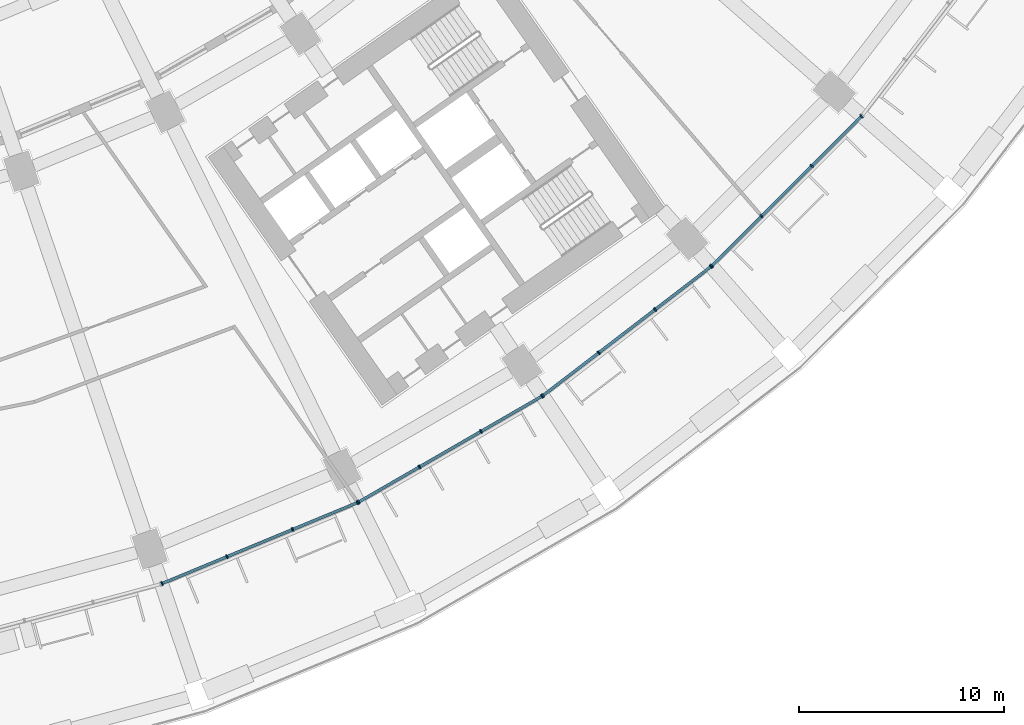
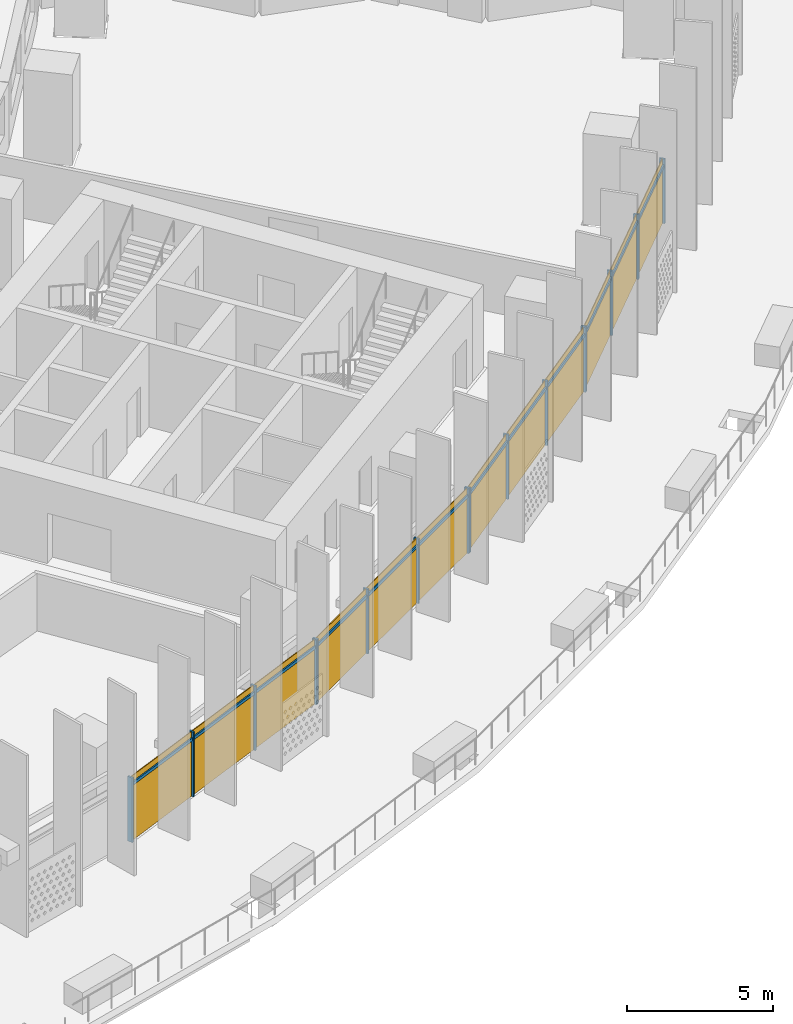
# One storey, part 22 of 35: 28 members, 4 curtain walls.
"""IFC4 building model written with IfcOpenShell, lengths in metres."""

from ifc_helpers import new_model, si_unit, direction, frame, origin, origin_2d, place, context, subcontext, project, spatial, rectangle, extrude, material, material_profile, profile_set, type_object, element, aggregate, save


model = new_model("IFC4")

# Units and contexts
model_context = context("Model", 3, precision=1e-05, world=origin(), true_north=direction((0.0, 1.0)))
body_context = subcontext(model_context, "Body", "Model", "MODEL_VIEW")
ifc_project = project(units=[si_unit("LENGTHUNIT", "METRE"), si_unit("AREAUNIT", "SQUARE_METRE"), si_unit("VOLUMEUNIT", "CUBIC_METRE"), si_unit("PLANEANGLEUNIT", "RADIAN"), si_unit("MASSUNIT", "GRAM", prefix="KILO")], contexts=[model_context])

# Member
ifc_material = material(Name="Aluminium 6063-T6 anodised", Category="aluminium")
ifc_material_profile_1 = material_profile(ifc_material, rectangle(XDim=0.199951171875, YDim=0.070068359375, at=origin_2d()))
ifc_profile_set_1 = profile_set([ifc_material_profile_1], Name="Aluminium 6063-T6 anodised")
member_type_1 = type_object("IfcMemberType", Name="Mullion 70 x 200 aluminium", PredefinedType="MULLION", material=ifc_profile_set_1)
site_placement = place(None, origin())
building_placement = place(site_placement, origin())
storey_placement = place(building_placement, frame((0.0, 0.0, 40.5)))
member_1_placement = place(storey_placement, frame((25.5966796875, -75.317138671875, 0.0), z_axis=(0.0, 0.0, 1.0), x_axis=(-0.382683432365, 0.923879532511, 0.0)))
member_1 = element("IfcMember", 1, at=member_1_placement, type_object=member_type_1, Name="e-cw1-L06-out11/M00", PredefinedType="MULLION", context=body_context, shape_type="SweptSolid", body=[
    extrude(rectangle(XDim=0.199951171875, YDim=0.070068359375, at=origin_2d()), origin(), (0.0, 0.0, 1.0), 2.699951171875),
])

member_2_placement = place(storey_placement, frame((28.77294921875, -74.00146484375, 0.0), z_axis=(0.0, 0.0, 1.0), x_axis=(-0.382683432365, 0.923879532511, 0.0)))
member_2 = element("IfcMember", 2, at=member_2_placement, type_object=member_type_1, Name="e-cw1-L06-out11/M01", PredefinedType="MULLION", context=body_context, shape_type="SweptSolid", body=[
    extrude(rectangle(XDim=0.199951171875, YDim=0.070068359375, at=origin_2d()), origin(), (0.0, 0.0, 1.0), 2.699951171875),
])

member_3_placement = place(storey_placement, frame((31.9814453125, -72.672607421875, 0.0), z_axis=(0.0, 0.0, 1.0), x_axis=(-0.382683432365, 0.923879532511, 0.0)))
member_3 = element("IfcMember", 3, at=member_3_placement, type_object=member_type_1, Name="e-cw1-L06-out11/M02", PredefinedType="MULLION", context=body_context, shape_type="SweptSolid", body=[
    extrude(rectangle(XDim=0.199951171875, YDim=0.070068359375, at=origin_2d()), origin(), (0.0, 0.0, 1.0), 2.699951171875),
])

member_4_placement = place(storey_placement, frame((35.15771484375, -71.35693359375, 0.0), z_axis=(0.0, 0.0, 1.0), x_axis=(-0.382683432365, 0.923879532511, 0.0)))
member_4 = element("IfcMember", 4, at=member_4_placement, type_object=member_type_1, Name="e-cw1-L06-out11/M03", PredefinedType="MULLION", context=body_context, shape_type="SweptSolid", body=[
    extrude(rectangle(XDim=0.199951171875, YDim=0.070068359375, at=origin_2d()), origin(), (0.0, 0.0, 1.0), 2.699951171875),
])

member_5_placement = place(storey_placement, frame((35.20849609375, -71.331787109375, 0.0), z_axis=(0.0, 0.0, 1.0), x_axis=(-0.5, 0.866025403784, 0.0)))
member_5 = element("IfcMember", 5, at=member_5_placement, type_object=member_type_1, Name="e-cw1-L06-out12/M00", PredefinedType="MULLION", context=body_context, shape_type="SweptSolid", body=[
    extrude(rectangle(XDim=0.199951171875, YDim=0.070068359375, at=origin_2d()), origin(), (0.0, 0.0, 1.0), 2.699951171875),
])

member_6_placement = place(storey_placement, frame((38.18603515625, -69.61279296875, 0.0), z_axis=(0.0, 0.0, 1.0), x_axis=(-0.5, 0.866025403784, 0.0)))
member_6 = element("IfcMember", 6, at=member_6_placement, type_object=member_type_1, Name="e-cw1-L06-out12/M01", PredefinedType="MULLION", context=body_context, shape_type="SweptSolid", body=[
    extrude(rectangle(XDim=0.199951171875, YDim=0.070068359375, at=origin_2d()), origin(), (0.0, 0.0, 1.0), 2.699951171875),
])

member_7_placement = place(storey_placement, frame((41.193603515625, -67.87646484375, 0.0), z_axis=(0.0, 0.0, 1.0), x_axis=(-0.5, 0.866025403784, 0.0)))
member_7 = element("IfcMember", 7, at=member_7_placement, type_object=member_type_1, Name="e-cw1-L06-out12/M02", PredefinedType="MULLION", context=body_context, shape_type="SweptSolid", body=[
    extrude(rectangle(XDim=0.199951171875, YDim=0.070068359375, at=origin_2d()), origin(), (0.0, 0.0, 1.0), 2.699951171875),
])

member_8_placement = place(storey_placement, frame((44.1708984375, -66.157470703125, 0.0), z_axis=(0.0, 0.0, 1.0), x_axis=(-0.5, 0.866025403784, 0.0)))
member_8 = element("IfcMember", 8, at=member_8_placement, type_object=member_type_1, Name="e-cw1-L06-out12/M03", PredefinedType="MULLION", context=body_context, shape_type="SweptSolid", body=[
    extrude(rectangle(XDim=0.199951171875, YDim=0.070068359375, at=origin_2d()), origin(), (0.0, 0.0, 1.0), 2.699951171875),
])

member_9_placement = place(storey_placement, frame((44.218017578125, -66.1259765625, 0.0), z_axis=(0.0, 0.0, 1.0), x_axis=(-0.608761429009, 0.793353340291, 0.0)))
member_9 = element("IfcMember", 9, at=member_9_placement, type_object=member_type_1, Name="e-cw1-L06-out13/M00", PredefinedType="MULLION", context=body_context, shape_type="SweptSolid", body=[
    extrude(rectangle(XDim=0.199951171875, YDim=0.070068359375, at=origin_2d()), origin(), (0.0, 0.0, 1.0), 2.699951171875),
])

member_10_placement = place(storey_placement, frame((46.945556640625, -64.032958984375, 0.0), z_axis=(0.0, 0.0, 1.0), x_axis=(-0.608761429009, 0.793353340291, 0.0)))
member_10 = element("IfcMember", 10, at=member_10_placement, type_object=member_type_1, Name="e-cw1-L06-out13/M01", PredefinedType="MULLION", context=body_context, shape_type="SweptSolid", body=[
    extrude(rectangle(XDim=0.199951171875, YDim=0.070068359375, at=origin_2d()), origin(), (0.0, 0.0, 1.0), 2.699951171875),
])

member_11_placement = place(storey_placement, frame((49.70068359375, -61.9189453125, 0.0), z_axis=(0.0, 0.0, 1.0), x_axis=(-0.608761429009, 0.793353340291, 0.0)))
member_11 = element("IfcMember", 11, at=member_11_placement, type_object=member_type_1, Name="e-cw1-L06-out13/M02", PredefinedType="MULLION", context=body_context, shape_type="SweptSolid", body=[
    extrude(rectangle(XDim=0.199951171875, YDim=0.070068359375, at=origin_2d()), origin(), (0.0, 0.0, 1.0), 2.699951171875),
])

member_12_placement = place(storey_placement, frame((52.42822265625, -59.825927734375, 0.0), z_axis=(0.0, 0.0, 1.0), x_axis=(-0.608761429009, 0.793353340291, 0.0)))
member_12 = element("IfcMember", 12, at=member_12_placement, type_object=member_type_1, Name="e-cw1-L06-out13/M03", PredefinedType="MULLION", context=body_context, shape_type="SweptSolid", body=[
    extrude(rectangle(XDim=0.199951171875, YDim=0.070068359375, at=origin_2d()), origin(), (0.0, 0.0, 1.0), 2.699951171875),
])

member_13_placement = place(storey_placement, frame((52.470947265625, -59.78857421875, 0.0), z_axis=(0.0, 0.0, 1.0), x_axis=(-0.707106781187, 0.707106781187, 0.0)))
member_13 = element("IfcMember", 13, at=member_13_placement, type_object=member_type_1, Name="e-cw1-L06-out14/M00", PredefinedType="MULLION", context=body_context, shape_type="SweptSolid", body=[
    extrude(rectangle(XDim=0.199951171875, YDim=0.070068359375, at=origin_2d()), origin(), (0.0, 0.0, 1.0), 2.699951171875),
])

member_14_placement = place(storey_placement, frame((54.90185546875, -57.357666015625, 0.0), z_axis=(0.0, 0.0, 1.0), x_axis=(-0.707106781187, 0.707106781187, 0.0)))
member_14 = element("IfcMember", 14, at=member_14_placement, type_object=member_type_1, Name="e-cw1-L06-out14/M01", PredefinedType="MULLION", context=body_context, shape_type="SweptSolid", body=[
    extrude(rectangle(XDim=0.199951171875, YDim=0.070068359375, at=origin_2d()), origin(), (0.0, 0.0, 1.0), 2.699951171875),
])

member_15_placement = place(storey_placement, frame((57.357666015625, -54.90185546875, 0.0), z_axis=(0.0, 0.0, 1.0), x_axis=(-0.707106781187, 0.707106781187, 0.0)))
member_15 = element("IfcMember", 15, at=member_15_placement, type_object=member_type_1, Name="e-cw1-L06-out14/M02", PredefinedType="MULLION", context=body_context, shape_type="SweptSolid", body=[
    extrude(rectangle(XDim=0.199951171875, YDim=0.070068359375, at=origin_2d()), origin(), (0.0, 0.0, 1.0), 2.699951171875),
])

member_16_placement = place(storey_placement, frame((59.78857421875, -52.470947265625, 0.0), z_axis=(0.0, 0.0, 1.0), x_axis=(-0.707106781187, 0.707106781187, 0.0)))
member_16 = element("IfcMember", 16, at=member_16_placement, type_object=member_type_1, Name="e-cw1-L06-out14/M03", PredefinedType="MULLION", context=body_context, shape_type="SweptSolid", body=[
    extrude(rectangle(XDim=0.199951171875, YDim=0.070068359375, at=origin_2d()), origin(), (0.0, 0.0, 1.0), 2.699951171875),
])

ifc_material_profile_2 = material_profile(ifc_material, rectangle(XDim=0.139892578125, YDim=0.1201171875, at=origin_2d()))
ifc_profile_set_2 = profile_set([ifc_material_profile_2], Name="Aluminium 6063-T6 anodised")
member_type_2 = type_object("IfcMemberType", Name="Transom 120 x 140 aluminium", PredefinedType="USERDEFINED", material=ifc_profile_set_2)
member_17_placement = place(storey_placement, frame((25.629150390625, -75.3037109375, 2.39990234375), z_axis=(0.923872807855, 0.382699666719, 0.0), x_axis=(-0.382699666719, 0.923872807855, 0.0)))
member_17 = element("IfcMember", 17, at=member_17_placement, type_object=member_type_2, Name="e-cw1-L06-out11/T00", ObjectType="TRANSOM", PredefinedType="USERDEFINED", context=body_context, shape_type="SweptSolid", body=[
    extrude(rectangle(XDim=0.139892578125, YDim=0.1201171875, at=origin_2d()), origin(), (0.0, 0.0, 1.0), 3.36767578125),
])

member_18_placement = place(storey_placement, frame((28.80517578125, -73.98828125, 2.39990234375), z_axis=(0.92388567708, 0.382668597728, 0.0), x_axis=(-0.382668597728, 0.92388567708, 0.0)))
member_18 = element("IfcMember", 18, at=member_18_placement, type_object=member_type_2, Name="e-cw1-L06-out11/T01", ObjectType="TRANSOM", PredefinedType="USERDEFINED", context=body_context, shape_type="SweptSolid", body=[
    extrude(rectangle(XDim=0.139892578125, YDim=0.1201171875, at=origin_2d()), origin(), (0.0, 0.0, 1.0), 3.403076171875),
])

member_19_placement = place(storey_placement, frame((32.013916015625, -72.6591796875, 2.39990234375), z_axis=(0.923872807855, 0.382699666719, 0.0), x_axis=(-0.382699666719, 0.923872807855, 0.0)))
member_19 = element("IfcMember", 19, at=member_19_placement, type_object=member_type_2, Name="e-cw1-L06-out11/T02", ObjectType="TRANSOM", PredefinedType="USERDEFINED", context=body_context, shape_type="SweptSolid", body=[
    extrude(rectangle(XDim=0.139892578125, YDim=0.1201171875, at=origin_2d()), origin(), (0.0, 0.0, 1.0), 3.36767578125),
])

member_20_placement = place(storey_placement, frame((35.239013671875, -71.314208984375, 2.39990234375), z_axis=(0.866026229868, 0.499998569178, 0.0), x_axis=(-0.499998569178, 0.866026229868, 0.0)))
member_20 = element("IfcMember", 20, at=member_20_placement, type_object=member_type_2, Name="e-cw1-L06-out12/T00", ObjectType="TRANSOM", PredefinedType="USERDEFINED", context=body_context, shape_type="SweptSolid", body=[
    extrude(rectangle(XDim=0.139892578125, YDim=0.1201171875, at=origin_2d()), origin(), (0.0, 0.0, 1.0), 3.36767578125),
])

member_21_placement = place(storey_placement, frame((38.21630859375, -69.595458984375, 2.39990234375), z_axis=(0.866000398227, 0.500043308395, 0.0), x_axis=(-0.500043308395, 0.866000398227, 0.0)))
member_21 = element("IfcMember", 21, at=member_21_placement, type_object=member_type_2, Name="e-cw1-L06-out12/T01", ObjectType="TRANSOM", PredefinedType="USERDEFINED", context=body_context, shape_type="SweptSolid", body=[
    extrude(rectangle(XDim=0.139892578125, YDim=0.1201171875, at=origin_2d()), origin(), (0.0, 0.0, 1.0), 3.403076171875),
])

member_22_placement = place(storey_placement, frame((41.223876953125, -67.85888671875, 2.39990234375), z_axis=(0.866044351828, 0.49996717959, 0.0), x_axis=(-0.49996717959, 0.866044351828, 0.0)))
member_22 = element("IfcMember", 22, at=member_22_placement, type_object=member_type_2, Name="e-cw1-L06-out12/T02", ObjectType="TRANSOM", PredefinedType="USERDEFINED", context=body_context, shape_type="SweptSolid", body=[
    extrude(rectangle(XDim=0.139892578125, YDim=0.1201171875, at=origin_2d()), origin(), (0.0, 0.0, 1.0), 3.367919921875),
])

member_23_placement = place(storey_placement, frame((44.245849609375, -66.1044921875, 2.39990234375), z_axis=(0.793375276742, 0.608732839803, 0.0), x_axis=(-0.608732839803, 0.793375276742, 0.0)))
member_23 = element("IfcMember", 23, at=member_23_placement, type_object=member_type_2, Name="e-cw1-L06-out13/T00", ObjectType="TRANSOM", PredefinedType="USERDEFINED", context=body_context, shape_type="SweptSolid", body=[
    extrude(rectangle(XDim=0.139892578125, YDim=0.1201171875, at=origin_2d()), origin(), (0.0, 0.0, 1.0), 3.36767578125),
])

member_24_placement = place(storey_placement, frame((46.973388671875, -64.01171875, 2.39990234375), z_axis=(0.793356868815, 0.60875683052, 0.0), x_axis=(-0.60875683052, 0.793356868815, 0.0)))
member_24 = element("IfcMember", 24, at=member_24_placement, type_object=member_type_2, Name="e-cw1-L06-out13/T01", ObjectType="TRANSOM", PredefinedType="USERDEFINED", context=body_context, shape_type="SweptSolid", body=[
    extrude(rectangle(XDim=0.139892578125, YDim=0.1201171875, at=origin_2d()), origin(), (0.0, 0.0, 1.0), 3.40283203125),
])

member_25_placement = place(storey_placement, frame((49.728515625, -61.8974609375, 2.39990234375), z_axis=(0.793375276742, 0.608732839803, 0.0), x_axis=(-0.608732839803, 0.793375276742, 0.0)))
member_25 = element("IfcMember", 25, at=member_25_placement, type_object=member_type_2, Name="e-cw1-L06-out13/T02", ObjectType="TRANSOM", PredefinedType="USERDEFINED", context=body_context, shape_type="SweptSolid", body=[
    extrude(rectangle(XDim=0.139892578125, YDim=0.1201171875, at=origin_2d()), origin(), (0.0, 0.0, 1.0), 3.36767578125),
])

member_26_placement = place(storey_placement, frame((52.49560546875, -59.763916015625, 2.39990234375), z_axis=(0.707106781187, 0.707106781187, 0.0), x_axis=(-0.707106781187, 0.707106781187, 0.0)))
member_26 = element("IfcMember", 26, at=member_26_placement, type_object=member_type_2, Name="e-cw1-L06-out14/T00", ObjectType="TRANSOM", PredefinedType="USERDEFINED", context=body_context, shape_type="SweptSolid", body=[
    extrude(rectangle(XDim=0.139892578125, YDim=0.1201171875, at=origin_2d()), origin(), (0.0, 0.0, 1.0), 3.3681640625),
])

member_27_placement = place(storey_placement, frame((54.9267578125, -57.332763671875, 2.39990234375), z_axis=(0.707106781187, 0.707106781187, 0.0), x_axis=(-0.707106781187, 0.707106781187, 0.0)))
member_27 = element("IfcMember", 27, at=member_27_placement, type_object=member_type_2, Name="e-cw1-L06-out14/T01", ObjectType="TRANSOM", PredefinedType="USERDEFINED", context=body_context, shape_type="SweptSolid", body=[
    extrude(rectangle(XDim=0.139892578125, YDim=0.1201171875, at=origin_2d()), origin(), (0.0, 0.0, 1.0), 3.402587890625),
])

member_28_placement = place(storey_placement, frame((57.38232421875, -54.877197265625, 2.39990234375), z_axis=(0.707106781187, 0.707106781187, 0.0), x_axis=(-0.707106781187, 0.707106781187, 0.0)))
member_28 = element("IfcMember", 28, at=member_28_placement, type_object=member_type_2, Name="e-cw1-L06-out14/T02", ObjectType="TRANSOM", PredefinedType="USERDEFINED", context=body_context, shape_type="SweptSolid", body=[
    extrude(rectangle(XDim=0.139892578125, YDim=0.1201171875, at=origin_2d()), origin(), (0.0, 0.0, 1.0), 3.3681640625),
])

# Site, building, storey
site = spatial("IfcSite", under=ifc_project, at=site_placement, CompositionType="ELEMENT")
building = spatial("IfcBuilding", under=site, at=building_placement, Name="Qamariyya Broadcast Tower", CompositionType="ELEMENT")
storey = spatial("IfcBuildingStorey", under=building, at=storey_placement, Name="L06", CompositionType="ELEMENT", Elevation=40.5)

# Curtain wall
curtain_wall_type = type_object("IfcCurtainWallType", Name="Unitised curtain wall, anodised aluminium", PredefinedType="NOTDEFINED", material=ifc_material)
curtain_wall_1_placement = place(storey_placement, origin())
curtain_wall_1 = element("IfcCurtainWall", 29, at=curtain_wall_1_placement, inside=storey, type_object=curtain_wall_type, Name="e-cw1-L06-out11", PredefinedType="NOTDEFINED", context=body_context, shape_type="SweptSolid", body=[
    extrude(rectangle(XDim=3.367919921875, YDim=0.031982421875, at=origin_2d()), frame((27.184814453125, -74.659423828125, 0.0), x_axis=(0.92387774222, 0.382687754482, 0.0)), (0.0, 0.0, 1.0), 2.340087890625),
    extrude(rectangle(XDim=3.367919921875, YDim=0.031982421875, at=origin_2d()), frame((27.184814453125, -74.659423828125, 2.4599609375), x_axis=(0.92387774222, 0.382687754482, 0.0)), (0.0, 0.0, 1.0), 0.239990234375),
    extrude(rectangle(XDim=3.40283203125, YDim=0.031982421875, at=origin_2d()), frame((30.377197265625, -73.3369140625, 0.0), x_axis=(0.92387774222, 0.382687754482, 0.0)), (0.0, 0.0, 1.0), 2.340087890625),
    extrude(rectangle(XDim=3.40283203125, YDim=0.031982421875, at=origin_2d()), frame((30.377197265625, -73.3369140625, 2.4599609375), x_axis=(0.92387774222, 0.382687754482, 0.0)), (0.0, 0.0, 1.0), 0.239990234375),
    extrude(rectangle(XDim=3.367919921875, YDim=0.031982421875, at=origin_2d()), frame((33.569580078125, -72.0146484375, 0.0), x_axis=(0.92387774222, 0.382687754482, 0.0)), (0.0, 0.0, 1.0), 2.340087890625),
    extrude(rectangle(XDim=3.367919921875, YDim=0.031982421875, at=origin_2d()), frame((33.569580078125, -72.0146484375, 2.4599609375), x_axis=(0.92387774222, 0.382687754482, 0.0)), (0.0, 0.0, 1.0), 0.239990234375),
])

aggregate(curtain_wall_1, [member_1, member_2, member_3, member_4, member_17, member_18, member_19])

curtain_wall_2_placement = place(storey_placement, origin())
curtain_wall_2 = element("IfcCurtainWall", 30, at=curtain_wall_2_placement, inside=storey, type_object=curtain_wall_type, Name="e-cw1-L06-out12", PredefinedType="NOTDEFINED", context=body_context, shape_type="SweptSolid", body=[
    extrude(rectangle(XDim=3.367919921875, YDim=0.031982421875, at=origin_2d()), frame((36.697265625, -70.472412109375, 0.0), x_axis=(0.86602247392, 0.500005074639, 0.0)), (0.0, 0.0, 1.0), 2.340087890625),
    extrude(rectangle(XDim=3.367919921875, YDim=0.031982421875, at=origin_2d()), frame((36.697265625, -70.472412109375, 2.4599609375), x_axis=(0.86602247392, 0.500005074639, 0.0)), (0.0, 0.0, 1.0), 0.239990234375),
    extrude(rectangle(XDim=3.40283203125, YDim=0.031982421875, at=origin_2d()), frame((39.689697265625, -68.74462890625, 0.0), x_axis=(0.86602247392, 0.500005074639, 0.0)), (0.0, 0.0, 1.0), 2.340087890625),
    extrude(rectangle(XDim=3.40283203125, YDim=0.031982421875, at=origin_2d()), frame((39.689697265625, -68.74462890625, 2.4599609375), x_axis=(0.86602247392, 0.500005074639, 0.0)), (0.0, 0.0, 1.0), 0.239990234375),
    extrude(rectangle(XDim=3.367919921875, YDim=0.031982421875, at=origin_2d()), frame((42.68212890625, -67.016845703125, 0.0), x_axis=(0.86602247392, 0.500005074639, 0.0)), (0.0, 0.0, 1.0), 2.340087890625),
    extrude(rectangle(XDim=3.367919921875, YDim=0.031982421875, at=origin_2d()), frame((42.68212890625, -67.016845703125, 2.4599609375), x_axis=(0.86602247392, 0.500005074639, 0.0)), (0.0, 0.0, 1.0), 0.239990234375),
])

aggregate(curtain_wall_2, [member_5, member_6, member_7, member_8, member_20, member_21, member_22])

curtain_wall_3_placement = place(storey_placement, origin())
curtain_wall_3 = element("IfcCurtainWall", 31, at=curtain_wall_3_placement, inside=storey, type_object=curtain_wall_type, Name="e-cw1-L06-out13", PredefinedType="NOTDEFINED", context=body_context, shape_type="SweptSolid", body=[
    extrude(rectangle(XDim=3.367919921875, YDim=0.031982421875, at=origin_2d()), frame((45.581787109375, -65.07958984375, 0.0), x_axis=(0.79335775203, 0.608755679475, 0.0)), (0.0, 0.0, 1.0), 2.340087890625),
    extrude(rectangle(XDim=3.367919921875, YDim=0.031982421875, at=origin_2d()), frame((45.581787109375, -65.07958984375, 2.4599609375), x_axis=(0.79335775203, 0.608755679475, 0.0)), (0.0, 0.0, 1.0), 0.239990234375),
    extrude(rectangle(XDim=3.40283203125, YDim=0.031982421875, at=origin_2d()), frame((48.3232421875, -62.97607421875, 0.0), x_axis=(0.79335775203, 0.608755679475, 0.0)), (0.0, 0.0, 1.0), 2.340087890625),
    extrude(rectangle(XDim=3.40283203125, YDim=0.031982421875, at=origin_2d()), frame((48.3232421875, -62.97607421875, 2.4599609375), x_axis=(0.79335775203, 0.608755679475, 0.0)), (0.0, 0.0, 1.0), 0.239990234375),
    extrude(rectangle(XDim=3.367919921875, YDim=0.031982421875, at=origin_2d()), frame((51.064453125, -60.872314453125, 0.0), x_axis=(0.79335775203, 0.608755679475, 0.0)), (0.0, 0.0, 1.0), 2.340087890625),
    extrude(rectangle(XDim=3.367919921875, YDim=0.031982421875, at=origin_2d()), frame((51.064453125, -60.872314453125, 2.4599609375), x_axis=(0.79335775203, 0.608755679475, 0.0)), (0.0, 0.0, 1.0), 0.239990234375),
])

aggregate(curtain_wall_3, [member_9, member_10, member_11, member_12, member_23, member_24, member_25])

curtain_wall_4_placement = place(storey_placement, origin())
curtain_wall_4 = element("IfcCurtainWall", 32, at=curtain_wall_4_placement, inside=storey, type_object=curtain_wall_type, Name="e-cw1-L06-out14", PredefinedType="NOTDEFINED", context=body_context, shape_type="SweptSolid", body=[
    extrude(rectangle(XDim=3.367919921875, YDim=0.031982421875, at=origin_2d()), frame((53.6865234375, -58.572998046875, 0.0), x_axis=(0.707106781187, 0.707106781187, 0.0)), (0.0, 0.0, 1.0), 2.340087890625),
    extrude(rectangle(XDim=3.367919921875, YDim=0.031982421875, at=origin_2d()), frame((53.6865234375, -58.572998046875, 2.4599609375), x_axis=(0.707106781187, 0.707106781187, 0.0)), (0.0, 0.0, 1.0), 0.239990234375),
    extrude(rectangle(XDim=3.40283203125, YDim=0.031982421875, at=origin_2d()), frame((56.1298828125, -56.1298828125, 0.0), x_axis=(0.707106781187, 0.707106781187, 0.0)), (0.0, 0.0, 1.0), 2.340087890625),
    extrude(rectangle(XDim=3.40283203125, YDim=0.031982421875, at=origin_2d()), frame((56.1298828125, -56.1298828125, 2.4599609375), x_axis=(0.707106781187, 0.707106781187, 0.0)), (0.0, 0.0, 1.0), 0.239990234375),
    extrude(rectangle(XDim=3.367919921875, YDim=0.031982421875, at=origin_2d()), frame((58.572998046875, -53.6865234375, 0.0), x_axis=(0.707106781187, 0.707106781187, 0.0)), (0.0, 0.0, 1.0), 2.340087890625),
    extrude(rectangle(XDim=3.367919921875, YDim=0.031982421875, at=origin_2d()), frame((58.572998046875, -53.6865234375, 2.4599609375), x_axis=(0.707106781187, 0.707106781187, 0.0)), (0.0, 0.0, 1.0), 0.239990234375),
])

aggregate(curtain_wall_4, [member_13, member_14, member_15, member_16, member_26, member_27, member_28])

save(model, "model.ifc")
